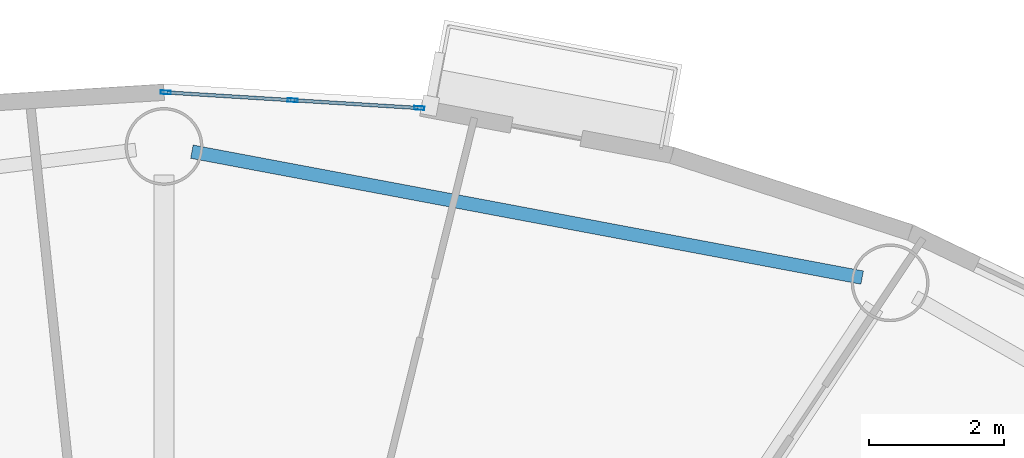
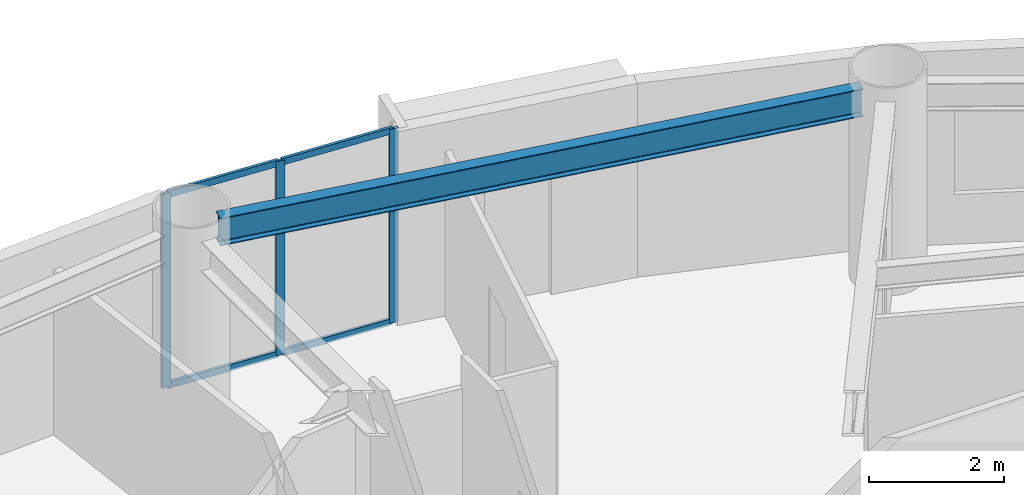
# One storey, part 4 of 18: 7 members, 1 beam, 1 element without a shape of its own.
"""IFC4 building model written with IfcOpenShell, lengths in metres."""

from ifc_helpers import new_model, si_unit, direction, frame, origin, origin_2d, place, context, subcontext, project, spatial, hollow_rectangle, i_section, extrude, source, transform, mapped, material, layer, layer_set, material_profile, profile_set, type_object, element, aggregate, save


model = new_model("IFC4")

# Units and contexts
model_context = context("Model", 3, precision=1e-05, world=origin(), true_north=direction((0.0, 1.0)))
body_context = subcontext(model_context, "Body", "Model", "MODEL_VIEW")
ifc_project = project(units=[si_unit("LENGTHUNIT", "METRE"), si_unit("AREAUNIT", "SQUARE_METRE"), si_unit("VOLUMEUNIT", "CUBIC_METRE"), si_unit("PLANEANGLEUNIT", "RADIAN"), si_unit("MASSUNIT", "GRAM", prefix="KILO")], contexts=[model_context])

# Site, building, storey
site_placement = place(None, origin())
site = spatial("IfcSite", under=ifc_project, at=site_placement, CompositionType="ELEMENT")
building_placement = place(site_placement, origin())
building = spatial("IfcBuilding", under=site, at=building_placement, Name="Linh Dai School and Residence Tower", CompositionType="ELEMENT")
storey_placement = place(building_placement, frame((0.0, 0.0, 240.300048828125)))
storey = spatial("IfcBuildingStorey", under=building, at=storey_placement, Name="L59", CompositionType="ELEMENT", Elevation=240.300048828125)

# Beam
ifc_material_1 = material(Name="Structural Steel S355JR", Category="steel")
ifc_material_profile_1 = material_profile(ifc_material_1, i_section(OverallWidth=0.199951171875, OverallDepth=0.5, WebThickness=0.01025390625, FlangeThickness=0.01611328125, FilletRadius=0.02099609375, at=origin_2d()), Name="IPE 500")
ifc_profile_set_1 = profile_set([ifc_material_profile_1], Name="Structural Steel S355JR")
beam_type = type_object("IfcBeamType", Name="BM-RB50", PredefinedType="BEAM", material=ifc_profile_set_1)
beam_placement = place(storey_placement, frame((46.32177734375, 43.240966796875, 3.25), z_axis=(-0.982806607762, 0.184637947722, 0.0), x_axis=(-0.184637947722, -0.982806607762, 0.0)))
element("IfcBeam", 1, at=beam_placement, inside=storey, type_object=beam_type, Name="L59 Perimeter Elliptical Ring Beam 04", PredefinedType="BEAM", context=body_context, shape_type="SweptSolid", body=[
    extrude(i_section(OverallWidth=0.199951171875, OverallDepth=0.5, WebThickness=0.01025390625, FlangeThickness=0.01611328125, FilletRadius=0.02099609375, at=origin_2d()), origin(), (0.0, 0.0, 1.0), 10.082275390625),
])

# Curtain wall, members
ifc_material_2 = material(Name="Aluminium Anodised Curtain Wall", Category="aluminium")
ifc_layer = layer(ifc_material_2, 0.14990234375)
ifc_layer_set = layer_set([ifc_layer], Name="Aluminium Anodised Curtain Wall")
curtain_wall_type = type_object("IfcCurtainWallType", Name="CW-SYS-4", PredefinedType="USERDEFINED", material=ifc_layer_set)
curtain_wall_placement = place(storey_placement, origin())
curtain_wall = element("IfcCurtainWall", 2, at=curtain_wall_placement, inside=storey, type_object=curtain_wall_type, Name="L59 CW4 Curtain Wall 10", ObjectType="RIBBON CURTAIN WALL", PredefinedType="USERDEFINED")
ifc_material_3 = material(Name="Aluminium Alloy 6063-T6", Category="aluminium")
ifc_material_profile_2 = material_profile(ifc_material_3, hollow_rectangle(XDim=0.052001953125, YDim=0.14990234375, WallThickness=0.00390625, at=origin_2d()), Name="RHS 150x52x4")
ifc_profile_set_2 = profile_set([ifc_material_profile_2], Name="Aluminium Alloy 6063-T6")
member_type_1 = type_object("IfcMemberType", Name="CW-SYS-4-MUL", PredefinedType="MULLION", material=ifc_profile_set_2)
shared_shape_1 = source(origin(), body_context, "Body", "SweptSolid", [
    extrude(hollow_rectangle(XDim=0.052001953125, YDim=0.14990234375, WallThickness=0.00390625, at=origin_2d()), origin(), (0.0, 0.0, 1.0), 3.5),
])
member_1_placement = place(storey_placement, frame((36.02587890625, 45.978515625, 0.0), z_axis=(0.0, 0.0, 1.0), x_axis=(0.061504437922, 0.998106809974, 0.0)))
member_1 = element("IfcMember", 3, at=member_1_placement, type_object=member_type_1, Name="CW4 mullion 1", PredefinedType="MULLION", context=body_context, shape_type="MappedRepresentation", body=[
    mapped(shared_shape_1, transform((0.0, 0.0, 0.0), x_axis=(1.0, 0.0, 0.0), y_axis=(0.0, 1.0, 0.0), z_axis=(0.0, 0.0, 1.0), scale=1.0)),
])
member_2_placement = place(storey_placement, frame((37.90087890625, 45.86279296875, 0.0), z_axis=(0.0, 0.0, 1.0), x_axis=(0.061504437922, 0.998106809974, 0.0)))
member_2 = element("IfcMember", 4, at=member_2_placement, type_object=member_type_1, Name="CW4 mullion 2", PredefinedType="MULLION", context=body_context, shape_type="MappedRepresentation", body=[
    mapped(shared_shape_1, transform((0.0, 0.0, 0.0), x_axis=(1.0, 0.0, 0.0), y_axis=(0.0, 1.0, 0.0), z_axis=(0.0, 0.0, 1.0), scale=1.0)),
])
member_3_placement = place(storey_placement, frame((39.775634765625, 45.747314453125, 0.0), z_axis=(0.0, 0.0, 1.0), x_axis=(0.061504437922, 0.998106809974, 0.0)))
member_3 = element("IfcMember", 5, at=member_3_placement, type_object=member_type_1, Name="CW4 mullion 3", PredefinedType="MULLION", context=body_context, shape_type="MappedRepresentation", body=[
    mapped(shared_shape_1, transform((0.0, 0.0, 0.0), x_axis=(1.0, 0.0, 0.0), y_axis=(0.0, 1.0, 0.0), z_axis=(0.0, 0.0, 1.0), scale=1.0)),
])
ifc_material_profile_3 = material_profile(ifc_material_3, hollow_rectangle(XDim=0.052001953125, YDim=0.114990234375, WallThickness=0.00390625, at=origin_2d()), Name="RHS 115x52x4")
ifc_profile_set_3 = profile_set([ifc_material_profile_3], Name="Aluminium Alloy 6063-T6")
member_type_2 = type_object("IfcMemberType", Name="CW-SYS-4-TRN", PredefinedType="USERDEFINED", material=ifc_profile_set_3)
shared_shape_2 = source(origin(), body_context, "Body", "SweptSolid", [
    extrude(hollow_rectangle(XDim=0.052001953125, YDim=0.114990234375, WallThickness=0.00390625, at=origin_2d()), origin(), (0.0, 0.0, 1.0), 1.826171875),
])
member_4_placement = place(storey_placement, frame((36.052001953125, 45.976806640625, 0.02587890625), z_axis=(0.998107327954, -0.061496031457, 0.0), x_axis=(0.061496031457, 0.998107327954, 0.0)))
member_4 = element("IfcMember", 6, at=member_4_placement, type_object=member_type_2, Name="CW4 transom 1.1", ObjectType="TRANSOM", PredefinedType="USERDEFINED", context=body_context, shape_type="MappedRepresentation", body=[
    mapped(shared_shape_2, transform((0.0, 0.0, 0.0), x_axis=(1.0, 0.0, 0.0), y_axis=(0.0, 1.0, 0.0), z_axis=(0.0, 0.0, 1.0), scale=1.0)),
])
member_5_placement = place(storey_placement, frame((36.052001953125, 45.976806640625, 3.473876953125), z_axis=(0.998107327954, -0.061496031457, 0.0), x_axis=(0.061496031457, 0.998107327954, 0.0)))
member_5 = element("IfcMember", 7, at=member_5_placement, type_object=member_type_2, Name="CW4 transom 1.2", ObjectType="TRANSOM", PredefinedType="USERDEFINED", context=body_context, shape_type="MappedRepresentation", body=[
    mapped(shared_shape_2, transform((0.0, 0.0, 0.0), x_axis=(1.0, 0.0, 0.0), y_axis=(0.0, 1.0, 0.0), z_axis=(0.0, 0.0, 1.0), scale=1.0)),
])
shared_shape_3 = source(origin(), body_context, "Body", "SweptSolid", [
    extrude(hollow_rectangle(XDim=0.052001953125, YDim=0.114990234375, WallThickness=0.00390625, at=origin_2d()), origin(), (0.0, 0.0, 1.0), 1.826416015625),
])
member_6_placement = place(storey_placement, frame((37.9267578125, 45.861328125, 0.02587890625), z_axis=(0.998107833425, -0.061487826888, 0.0), x_axis=(0.061487826888, 0.998107833425, 0.0)))
member_6 = element("IfcMember", 8, at=member_6_placement, type_object=member_type_2, Name="CW4 transom 2.1", ObjectType="TRANSOM", PredefinedType="USERDEFINED", context=body_context, shape_type="MappedRepresentation", body=[
    mapped(shared_shape_3, transform((0.0, 0.0, 0.0), x_axis=(1.0, 0.0, 0.0), y_axis=(0.0, 1.0, 0.0), z_axis=(0.0, 0.0, 1.0), scale=1.0)),
])
member_7_placement = place(storey_placement, frame((37.9267578125, 45.861328125, 3.473876953125), z_axis=(0.998107833425, -0.061487826888, 0.0), x_axis=(0.061487826888, 0.998107833425, 0.0)))
member_7 = element("IfcMember", 9, at=member_7_placement, type_object=member_type_2, Name="CW4 transom 2.2", ObjectType="TRANSOM", PredefinedType="USERDEFINED", context=body_context, shape_type="MappedRepresentation", body=[
    mapped(shared_shape_3, transform((0.0, 0.0, 0.0), x_axis=(1.0, 0.0, 0.0), y_axis=(0.0, 1.0, 0.0), z_axis=(0.0, 0.0, 1.0), scale=1.0)),
])
aggregate(curtain_wall, [member_1, member_2, member_3, member_4, member_5, member_6, member_7])

save(model, "model.ifc")
